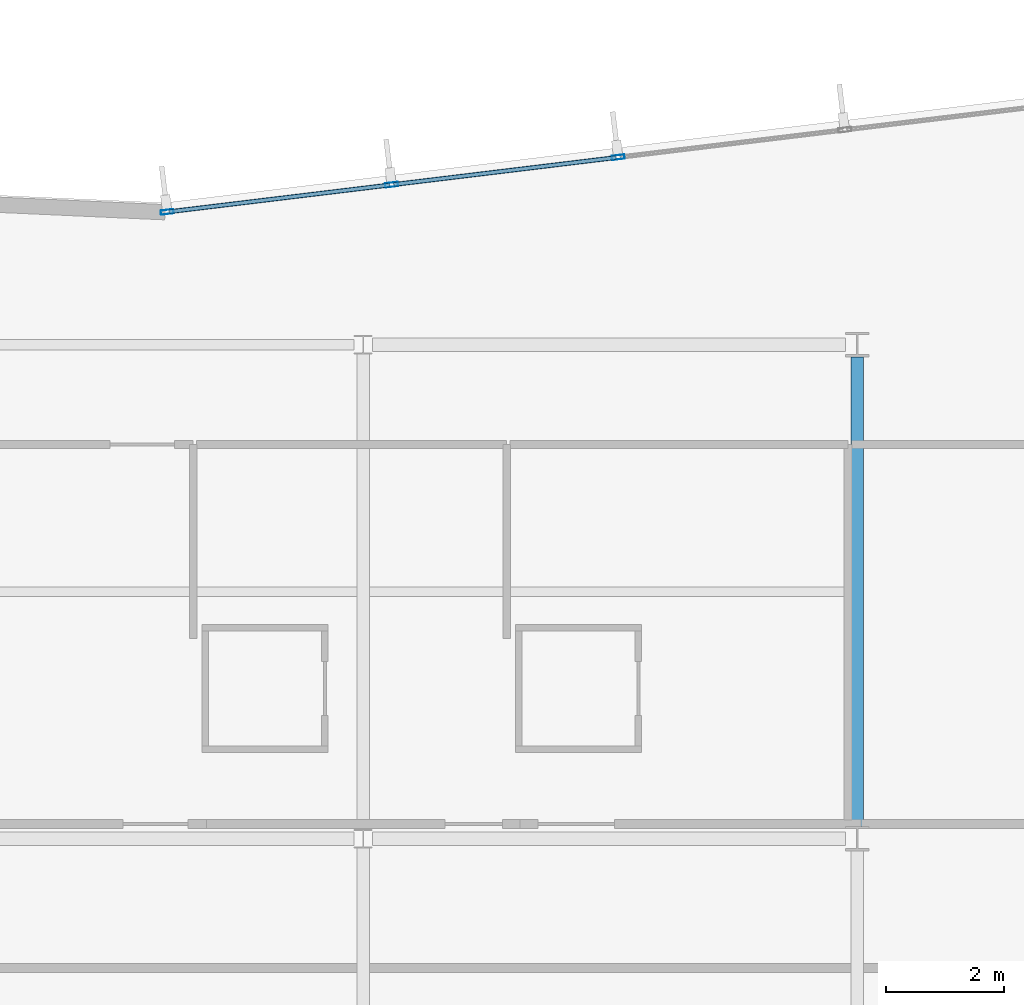
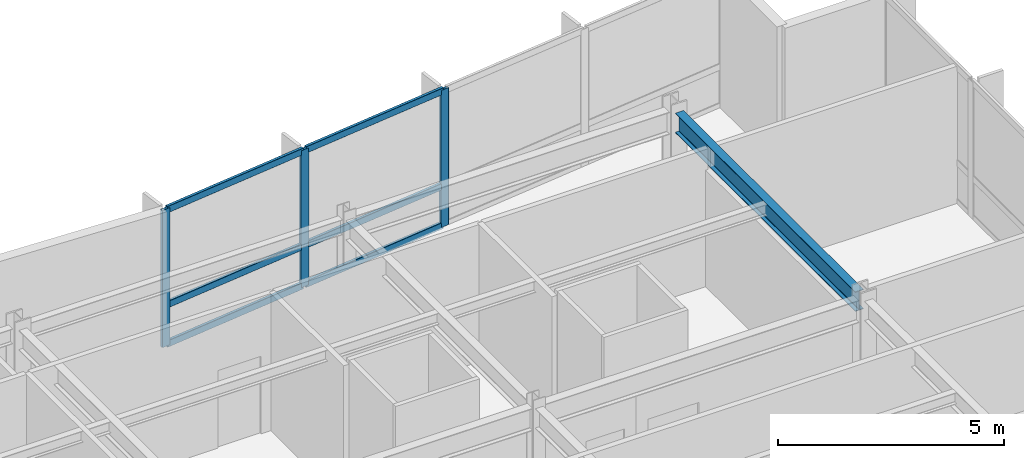
# One storey, part 7 of 17: 9 members, 1 beam, 1 element without a shape of its own.
"""IFC4 building model written with IfcOpenShell, lengths in metres."""

from ifc_helpers import new_model, si_unit, direction, frame, origin, origin_2d, place, context, subcontext, project, spatial, hollow_rectangle, i_section, extrude, material, layer, layer_set, material_profile, profile_set, type_object, element, aggregate, save


model = new_model("IFC4")

# Units and contexts
model_context = context("Model", 3, precision=1e-05, world=origin(), true_north=direction((0.0, 1.0)))
body_context = subcontext(model_context, "Body", "Model", "MODEL_VIEW")
ifc_project = project(units=[si_unit("LENGTHUNIT", "METRE"), si_unit("AREAUNIT", "SQUARE_METRE"), si_unit("VOLUMEUNIT", "CUBIC_METRE"), si_unit("PLANEANGLEUNIT", "RADIAN"), si_unit("MASSUNIT", "GRAM", prefix="KILO")], contexts=[model_context])

# Site, building, storey
site_placement = place(None, origin())
site = spatial("IfcSite", under=ifc_project, at=site_placement, CompositionType="ELEMENT")
building_placement = place(site_placement, origin())
building = spatial("IfcBuilding", under=site, at=building_placement, Name="Varnakote Quay Hospital", CompositionType="ELEMENT")
storey_placement = place(building_placement, frame((0.0, 0.0, 146.800048828125)))
storey = spatial("IfcBuildingStorey", under=building, at=storey_placement, Name="L36", CompositionType="ELEMENT", Elevation=146.800048828125)

# Beam
ifc_material_1 = material(Name="Structural steel AS/NZS 3679.1 Grade 350 L0 (fy 340 MPa)", Category="steel")
ifc_material_profile_1 = material_profile(ifc_material_1, i_section(OverallWidth=0.208984375, OverallDepth=0.532958984375, WebThickness=0.01025390625, FlangeThickness=0.015625, FilletRadius=0.013916015625, at=origin_2d()), Name="530UB92.4")
ifc_profile_set_1 = profile_set([ifc_material_profile_1], Name="Structural steel AS/NZS 3679.1 Grade 350 L0 (fy 340 MPa)")
beam_type = type_object("IfcBeamType", Name="BM-STL-530UB92-4", PredefinedType="BEAM", material=ifc_profile_set_1)
beam_placement = place(storey_placement, frame((50.39990234375, 20.610107421875, 3.443359375), z_axis=(0.0, 1.0, 0.0), x_axis=(-1.0, 0.0, 0.0)))
element("IfcBeam", 1, at=beam_placement, inside=storey, type_object=beam_type, Name="L36 Primary Tie Beam", PredefinedType="BEAM", context=body_context, shape_type="SweptSolid", body=[
    extrude(i_section(OverallWidth=0.208984375, OverallDepth=0.532958984375, WebThickness=0.01025390625, FlangeThickness=0.015625, FilletRadius=0.013916015625, at=origin_2d()), origin(), (0.0, 0.0, 1.0), 7.97998046875),
])

# Curtain wall, members
ifc_material_2 = material(Name="Anodised aluminium 6063-T6 Bronze", Category="aluminium")
ifc_layer = layer(ifc_material_2, 0.205078125)
ifc_layer_set = layer_set([ifc_layer], Name="Anodised aluminium 6063-T6 Bronze")
curtain_wall_type = type_object("IfcCurtainWallType", Name="CW-SYS-3", PredefinedType="NOTDEFINED", material=ifc_layer_set)
curtain_wall_placement = place(storey_placement, origin())
curtain_wall = element("IfcCurtainWall", 2, at=curtain_wall_placement, inside=storey, type_object=curtain_wall_type, Name="L36 Unitised Bronze Curtain Wall 2", PredefinedType="NOTDEFINED")
ifc_material_3 = material(Name="Anodised aluminium 6063-T6 Bronze", Category="aluminium")
ifc_material_profile_2 = material_profile(ifc_material_3, hollow_rectangle(XDim=0.074951171875, YDim=0.219970703125, WallThickness=0.00439453125, InnerFilletRadius=0.00439453125, OuterFilletRadius=0.009033203125, at=origin_2d()), Name="CW-MULL-220x75")
ifc_profile_set_2 = profile_set([ifc_material_profile_2], Name="Anodised aluminium 6063-T6 Bronze")
member_type_1 = type_object("IfcMemberType", Name="CW-MULL-220x75", PredefinedType="MULLION", material=ifc_profile_set_2)
member_1_placement = place(storey_placement, frame((46.3349609375, 31.985595703125, 0.0), z_axis=(0.0, 0.0, 1.0), x_axis=(0.12032713492, -0.992734295067, 0.0)))
member_1 = element("IfcMember", 3, at=member_1_placement, type_object=member_type_1, Name="-3-L36-2 mullion 3", PredefinedType="MULLION", context=body_context, shape_type="SweptSolid", body=[
    extrude(hollow_rectangle(XDim=0.074951171875, YDim=0.219970703125, WallThickness=0.00439453125, InnerFilletRadius=0.00439453125, OuterFilletRadius=0.009033203125, at=origin_2d()), origin(), (0.0, 0.0, 1.0), 3.7099609375),
])
member_2_placement = place(storey_placement, frame((42.482666015625, 31.5185546875, 0.0), z_axis=(0.0, 0.0, 1.0), x_axis=(0.12032713492, -0.992734295067, 0.0)))
member_2 = element("IfcMember", 4, at=member_2_placement, type_object=member_type_1, Name="-3-L36-2 mullion 4", PredefinedType="MULLION", context=body_context, shape_type="SweptSolid", body=[
    extrude(hollow_rectangle(XDim=0.074951171875, YDim=0.219970703125, WallThickness=0.00439453125, InnerFilletRadius=0.00439453125, OuterFilletRadius=0.009033203125, at=origin_2d()), origin(), (0.0, 0.0, 1.0), 3.7099609375),
])
member_3_placement = place(storey_placement, frame((38.667236328125, 31.05615234375, 0.0), z_axis=(0.0, 0.0, 1.0), x_axis=(0.12032713492, -0.992734295067, 0.0)))
member_3 = element("IfcMember", 5, at=member_3_placement, type_object=member_type_1, Name="-3-L36-2 mullion 5", PredefinedType="MULLION", context=body_context, shape_type="SweptSolid", body=[
    extrude(hollow_rectangle(XDim=0.074951171875, YDim=0.219970703125, WallThickness=0.00439453125, InnerFilletRadius=0.00439453125, OuterFilletRadius=0.009033203125, at=origin_2d()), origin(), (0.0, 0.0, 1.0), 3.7099609375),
])
ifc_material_4 = material(Name="Anodised aluminium 6063-T6 Bronze", Category="aluminium")
ifc_material_profile_3 = material_profile(ifc_material_4, hollow_rectangle(XDim=0.074951171875, YDim=0.179931640625, WallThickness=0.004150390625, InnerFilletRadius=0.004150390625, OuterFilletRadius=0.00830078125, at=origin_2d()), Name="CW-TRAN-180x75")
ifc_profile_set_3 = profile_set([ifc_material_profile_3], Name="Anodised aluminium 6063-T6 Bronze")
member_type_2 = type_object("IfcMemberType", Name="CW-TRAN-180x75", PredefinedType="USERDEFINED", material=ifc_profile_set_3)
member_4_placement = place(storey_placement, frame((46.2978515625, 31.98095703125, 0.037353515625), z_axis=(-0.992731924158, -0.120346694005, 0.0), x_axis=(0.120346694005, -0.992731924158, 0.0)))
member_4 = element("IfcMember", 6, at=member_4_placement, type_object=member_type_2, Name="-3-L36-2 transom 3.1", ObjectType="TRANSOM", PredefinedType="USERDEFINED", context=body_context, shape_type="SweptSolid", body=[
    extrude(hollow_rectangle(XDim=0.074951171875, YDim=0.179931640625, WallThickness=0.004150390625, InnerFilletRadius=0.004150390625, OuterFilletRadius=0.00830078125, at=origin_2d()), origin(), (0.0, 0.0, 1.0), 3.8056640625),
])
member_5_placement = place(storey_placement, frame((46.2978515625, 31.98095703125, 1.099853515625), z_axis=(-0.992731924158, -0.120346694005, 0.0), x_axis=(0.120346694005, -0.992731924158, 0.0)))
member_5 = element("IfcMember", 7, at=member_5_placement, type_object=member_type_2, Name="-3-L36-2 transom 3.2", ObjectType="TRANSOM", PredefinedType="USERDEFINED", context=body_context, shape_type="SweptSolid", body=[
    extrude(hollow_rectangle(XDim=0.074951171875, YDim=0.179931640625, WallThickness=0.004150390625, InnerFilletRadius=0.004150390625, OuterFilletRadius=0.00830078125, at=origin_2d()), origin(), (0.0, 0.0, 1.0), 3.8056640625),
])
member_6_placement = place(storey_placement, frame((46.2978515625, 31.98095703125, 3.67236328125), z_axis=(-0.992731924158, -0.120346694005, 0.0), x_axis=(0.120346694005, -0.992731924158, 0.0)))
member_6 = element("IfcMember", 8, at=member_6_placement, type_object=member_type_2, Name="-3-L36-2 transom 3.3", ObjectType="TRANSOM", PredefinedType="USERDEFINED", context=body_context, shape_type="SweptSolid", body=[
    extrude(hollow_rectangle(XDim=0.074951171875, YDim=0.179931640625, WallThickness=0.004150390625, InnerFilletRadius=0.004150390625, OuterFilletRadius=0.00830078125, at=origin_2d()), origin(), (0.0, 0.0, 1.0), 3.8056640625),
])
member_7_placement = place(storey_placement, frame((42.4453125, 31.513916015625, 0.037353515625), z_axis=(-0.992735423717, -0.120317822859, 0.0), x_axis=(0.120317822859, -0.992735423717, 0.0)))
member_7 = element("IfcMember", 9, at=member_7_placement, type_object=member_type_2, Name="-3-L36-2 transom 4.1", ObjectType="TRANSOM", PredefinedType="USERDEFINED", context=body_context, shape_type="SweptSolid", body=[
    extrude(hollow_rectangle(XDim=0.074951171875, YDim=0.179931640625, WallThickness=0.004150390625, InnerFilletRadius=0.004150390625, OuterFilletRadius=0.00830078125, at=origin_2d()), origin(), (0.0, 0.0, 1.0), 3.76806640625),
])
member_8_placement = place(storey_placement, frame((42.4453125, 31.513916015625, 1.099853515625), z_axis=(-0.992735423717, -0.120317822859, 0.0), x_axis=(0.120317822859, -0.992735423717, 0.0)))
member_8 = element("IfcMember", 10, at=member_8_placement, type_object=member_type_2, Name="-3-L36-2 transom 4.2", ObjectType="TRANSOM", PredefinedType="USERDEFINED", context=body_context, shape_type="SweptSolid", body=[
    extrude(hollow_rectangle(XDim=0.074951171875, YDim=0.179931640625, WallThickness=0.004150390625, InnerFilletRadius=0.004150390625, OuterFilletRadius=0.00830078125, at=origin_2d()), origin(), (0.0, 0.0, 1.0), 3.76806640625),
])
member_9_placement = place(storey_placement, frame((42.4453125, 31.513916015625, 3.67236328125), z_axis=(-0.992735423717, -0.120317822859, 0.0), x_axis=(0.120317822859, -0.992735423717, 0.0)))
member_9 = element("IfcMember", 11, at=member_9_placement, type_object=member_type_2, Name="-3-L36-2 transom 4.3", ObjectType="TRANSOM", PredefinedType="USERDEFINED", context=body_context, shape_type="SweptSolid", body=[
    extrude(hollow_rectangle(XDim=0.074951171875, YDim=0.179931640625, WallThickness=0.004150390625, InnerFilletRadius=0.004150390625, OuterFilletRadius=0.00830078125, at=origin_2d()), origin(), (0.0, 0.0, 1.0), 3.76806640625),
])
aggregate(curtain_wall, [member_1, member_2, member_3, member_4, member_5, member_6, member_7, member_8, member_9])

save(model, "model.ifc")
